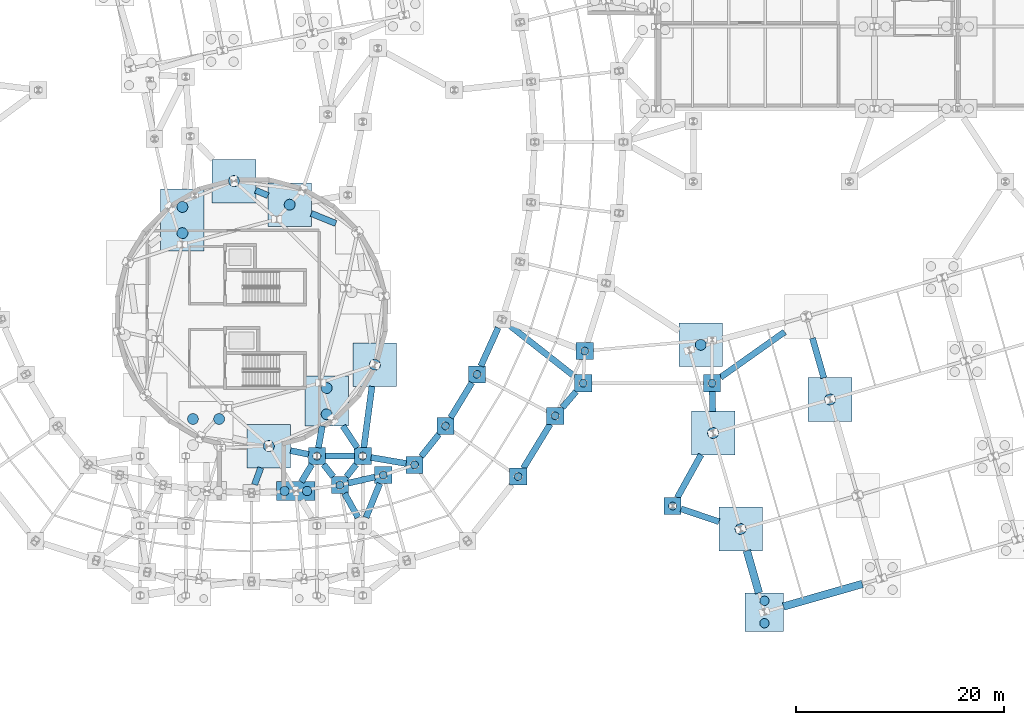
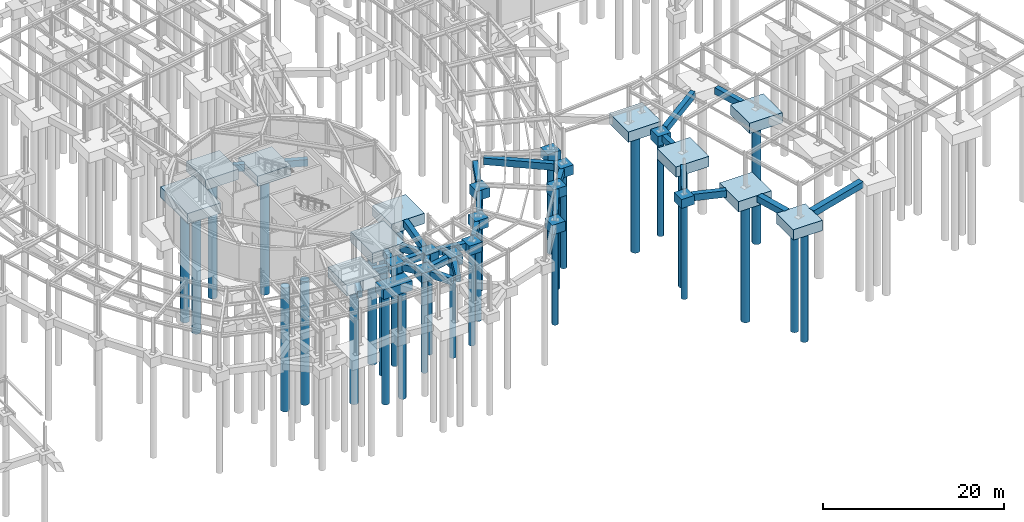
# One storey, part 4 of 50: 53 footings, 31 piles.
"""IFC4 building model written with IfcOpenShell, lengths in metres."""

from ifc_helpers import new_model, si_unit, direction, frame, origin, origin_2d, place, context, subcontext, project, spatial, rectangle, circle, extrude, material, material_profile, profile_set, type_object, element, save


model = new_model("IFC4")

# Units and contexts
model_context = context("Model", 3, precision=1e-05, world=origin(), true_north=direction((0.0, 1.0)))
body_context = subcontext(model_context, "Body", "Model", "MODEL_VIEW")
ifc_project = project(units=[si_unit("LENGTHUNIT", "METRE"), si_unit("AREAUNIT", "SQUARE_METRE"), si_unit("VOLUMEUNIT", "CUBIC_METRE"), si_unit("PLANEANGLEUNIT", "RADIAN"), si_unit("MASSUNIT", "GRAM", prefix="KILO")], contexts=[model_context])

# Site, building, storey
site_placement = place(None, origin())
site = spatial("IfcSite", under=ifc_project, at=site_placement, CompositionType="ELEMENT")
building_placement = place(site_placement, origin())
building = spatial("IfcBuilding", under=site, at=building_placement, Name="Varnklinge Art Gallery", CompositionType="ELEMENT")
storey_placement = place(building_placement, frame((0.0, 0.0, -4.800048828125)))
storey = spatial("IfcBuildingStorey", under=building, at=storey_placement, Name="B01", CompositionType="ELEMENT", Elevation=-4.800048828125)

# Footings
ifc_material_1 = material(Name="Concrete C35/45", Category="concrete")
footing_type_1 = type_object("IfcFootingType", Name="FB-08", PredefinedType="FOOTING_BEAM", material=ifc_material_1)
footing_1_placement = place(storey_placement, frame((85.10205078125, 20.05908203125, -0.89990234375), z_axis=(0.0, 0.0, 1.0), x_axis=(-0.488925770283, 0.872325392932, 0.0)))
element("IfcFooting", 1, at=footing_1_placement, inside=storey, type_object=footing_type_1, Name="B01 Ground Tie Beam FBM-039", PredefinedType="FOOTING_BEAM", context=body_context, shape_type="SweptSolid", body=[
    extrude(rectangle(XDim=2.645751953125, YDim=0.60009765625, at=origin_2d()), origin(), (0.0, 0.0, 1.0), 0.89990234375),
])
footing_2_placement = place(storey_placement, frame((86.08740234375, 22.492431640625, -0.89990234375), z_axis=(0.0, 0.0, 1.0), x_axis=(-0.975033218117, -0.222059054235, 0.0)))
element("IfcFooting", 2, at=footing_2_placement, inside=storey, type_object=footing_type_1, Name="B01 Ground Tie Beam FBM-060", PredefinedType="FOOTING_BEAM", context=body_context, shape_type="SweptSolid", body=[
    extrude(rectangle(XDim=2.62255859375, YDim=0.60009765625, at=origin_2d()), origin(), (0.0, 0.0, 1.0), 0.89990234375),
])
footing_3_placement = place(storey_placement, frame((84.984375, 26.652099609375, -1.199951171875), z_axis=(0.0, 0.0, 1.0), x_axis=(0.548731032748, -0.835998955561, 0.0)))
element("IfcFooting", 3, at=footing_3_placement, inside=storey, type_object=footing_type_1, Name="B01 Ground Tie Beam FBM-078", PredefinedType="FOOTING_BEAM", context=body_context, shape_type="SweptSolid", body=[
    extrude(rectangle(XDim=2.5048828125, YDim=0.60009765625, at=origin_2d()), origin(), (0.0, 0.0, 1.0), 0.89990234375),
])
footing_4_placement = place(storey_placement, frame((82.43505859375, 47.6494140625, -1.199951171875), z_axis=(0.0, 0.0, 1.0), x_axis=(-0.926265751019, 0.376871010412, 0.0)))
element("IfcFooting", 4, at=footing_4_placement, inside=storey, type_object=footing_type_1, Name="B01 Ground Tie Beam FBM-116", PredefinedType="FOOTING_BEAM", context=body_context, shape_type="SweptSolid", body=[
    extrude(rectangle(XDim=2.5478515625, YDim=0.60009765625, at=origin_2d()), origin(), (0.0, 0.0, 1.0), 0.89990234375),
])
ifc_material_2 = material(Name="Concrete C35/45", Category="concrete")
footing_type_2 = type_object("IfcFootingType", Name="FB-09", PredefinedType="FOOTING_BEAM", material=ifc_material_2)
footing_5_placement = place(storey_placement, frame((88.693115234375, 24.37939453125, -0.89990234375), z_axis=(0.0, 0.0, 1.0), x_axis=(-0.98608322182, 0.166252457562, 0.0)))
element("IfcFooting", 5, at=footing_5_placement, inside=storey, type_object=footing_type_2, Name="B01 Ground Tie Beam FBM-065", PredefinedType="FOOTING_BEAM", context=body_context, shape_type="SweptSolid", body=[
    extrude(rectangle(XDim=3.423583984375, YDim=0.60009765625, at=origin_2d()), origin(), (0.0, 0.0, 1.0), 0.89990234375),
])
ifc_material_3 = material(Name="Concrete C35/45", Category="concrete")
footing_type_3 = type_object("IfcFootingType", Name="FB-13", PredefinedType="FOOTING_BEAM", material=ifc_material_3)
footing_6_placement = place(storey_placement, frame((80.1259765625, 25.147705078125, -1.199951171875), z_axis=(0.0, 0.0, 1.0), x_axis=(0.979116497217, -0.2032999874, 0.0)))
element("IfcFooting", 6, at=footing_6_placement, inside=storey, type_object=footing_type_3, Name="B01 Ground Tie Beam FBM-068", PredefinedType="FOOTING_BEAM", context=body_context, shape_type="SweptSolid", body=[
    extrude(rectangle(XDim=1.775146484375, YDim=0.60009765625, at=origin_2d()), origin(), (0.0, 0.0, 1.0), 0.89990234375),
])
footing_7_placement = place(storey_placement, frame((76.101318359375, 22.8701171875, -1.199951171875), z_axis=(0.0, 0.0, 1.0), x_axis=(-0.348899199214, -0.937160257794, 0.0)))
element("IfcFooting", 7, at=footing_7_placement, inside=storey, type_object=footing_type_3, Name="B01 Ground Tie Beam FBM-069", PredefinedType="FOOTING_BEAM", context=body_context, shape_type="SweptSolid", body=[
    extrude(rectangle(XDim=1.728515625, YDim=0.60009765625, at=origin_2d()), origin(), (0.0, 0.0, 1.0), 0.89990234375),
])
ifc_material_4 = material(Name="Concrete C35/45", Category="concrete")
footing_type_4 = type_object("IfcFootingType", Name="FB-15", PredefinedType="FOOTING_BEAM", material=ifc_material_4)
footing_8_placement = place(storey_placement, frame((92.674560546875, 25.827392578125, -0.89990234375), z_axis=(0.0, 0.0, 1.0), x_axis=(0.623060848454, 0.782173368969, 0.0)))
element("IfcFooting", 8, at=footing_8_placement, inside=storey, type_object=footing_type_4, Name="B01 Ground Tie Beam FBM-064", PredefinedType="FOOTING_BEAM", context=body_context, shape_type="SweptSolid", body=[
    extrude(rectangle(XDim=2.719482421875, YDim=0.60009765625, at=origin_2d()), origin(), (0.0, 0.0, 1.0), 0.89990234375),
])
footing_9_placement = place(storey_placement, frame((84.0, 24.800048828125, -0.89990234375), z_axis=(0.0, 0.0, 1.0), x_axis=(-1.0, 0.0, 0.0)))
element("IfcFooting", 9, at=footing_9_placement, inside=storey, type_object=footing_type_4, Name="B01 Ground Tie Beam FBM-067", PredefinedType="FOOTING_BEAM", context=body_context, shape_type="SweptSolid", body=[
    extrude(rectangle(XDim=2.7900390625, YDim=0.60009765625, at=origin_2d()), origin(), (0.0, 0.0, 1.0), 0.89990234375),
])
ifc_material_5 = material(Name="Concrete C35/45", Category="concrete")
footing_type_5 = type_object("IfcFootingType", Name="FB-18", PredefinedType="FOOTING_BEAM", material=ifc_material_5)
footing_10_placement = place(storey_placement, frame((103.49560546875, 34.87255859375, -0.89990234375), z_axis=(0.0, 0.0, 1.0), x_axis=(-0.785856893175, 0.618408395358, 0.0)))
element("IfcFooting", 10, at=footing_10_placement, inside=storey, type_object=footing_type_5, Name="B01 Ground Tie Beam FBM-084", PredefinedType="FOOTING_BEAM", context=body_context, shape_type="SweptSolid", body=[
    extrude(rectangle(XDim=7.88818359375, YDim=0.60009765625, at=origin_2d()), origin(), (0.0, 0.0, 1.0), 0.89990234375),
])
ifc_material_6 = material(Name="Concrete C35/45", Category="concrete")
footing_type_6 = type_object("IfcFootingType", Name="FB-19", PredefinedType="FOOTING_BEAM", material=ifc_material_6)
footing_11_placement = place(storey_placement, frame((118.632568359375, 19.109130859375, -0.89990234375), z_axis=(0.0, 0.0, 1.0), x_axis=(-0.947266220842, 0.320447666323, 0.0)))
element("IfcFooting", 11, at=footing_11_placement, inside=storey, type_object=footing_type_6, Name="B01 Ground Tie Beam FBM-033", PredefinedType="FOOTING_BEAM", context=body_context, shape_type="SweptSolid", body=[
    extrude(rectangle(XDim=3.858642578125, YDim=0.60009765625, at=origin_2d()), origin(), (0.0, 0.0, 1.0), 0.89990234375),
])
ifc_material_7 = material(Name="Concrete C35/45", Category="concrete")
footing_type_7 = type_object("IfcFootingType", Name="FB-20", PredefinedType="FOOTING_BEAM", material=ifc_material_7)
footing_12_placement = place(storey_placement, frame((80.80712890625, 23.160400390625, -0.89990234375), z_axis=(0.0, 0.0, 1.0), x_axis=(0.518027009373, 0.855364260161, 0.0)))
element("IfcFooting", 12, at=footing_12_placement, inside=storey, type_object=footing_type_7, Name="B01 Ground Tie Beam FBM-048", PredefinedType="FOOTING_BEAM", context=body_context, shape_type="SweptSolid", body=[
    extrude(rectangle(XDim=1.951171875, YDim=0.60009765625, at=origin_2d()), origin(), (0.0, 0.0, 1.0), 0.89990234375),
])
footing_13_placement = place(storey_placement, frame((119.83447265625, 30.044921875, -0.89990234375), z_axis=(0.0, 0.0, 1.0), x_axis=(-0.019720942027, 0.999805523312, 0.0)))
element("IfcFooting", 13, at=footing_13_placement, inside=storey, type_object=footing_type_7, Name="B01 Ground Tie Beam FBM-072", PredefinedType="FOOTING_BEAM", context=body_context, shape_type="SweptSolid", body=[
    extrude(rectangle(XDim=1.900390625, YDim=0.60009765625, at=origin_2d()), origin(), (0.0, 0.0, 1.0), 0.89990234375),
])
footing_14_placement = place(storey_placement, frame((106.05810546875, 30.234619140625, -0.89990234375), z_axis=(0.0, 0.0, 1.0), x_axis=(0.650774217266, 0.759271307335, 0.0)))
element("IfcFooting", 14, at=footing_14_placement, inside=storey, type_object=footing_type_7, Name="B01 Ground Tie Beam FBM-080", PredefinedType="FOOTING_BEAM", context=body_context, shape_type="SweptSolid", body=[
    extrude(rectangle(XDim=2.00341796875, YDim=0.60009765625, at=origin_2d()), origin(), (0.0, 0.0, 1.0), 0.89990234375),
])
ifc_material_8 = material(Name="Concrete C35/45", Category="concrete")
footing_type_8 = type_object("IfcFootingType", Name="FB-27", PredefinedType="FOOTING_BEAM", material=ifc_material_8)
footing_15_placement = place(storey_placement, frame((85.10205078125, 23.408935546875, -0.89990234375), z_axis=(0.0, 0.0, 1.0), x_axis=(0.61964205304, 0.784884530427, 0.0)))
element("IfcFooting", 15, at=footing_15_placement, inside=storey, type_object=footing_type_8, Name="B01 Ground Tie Beam FBM-054", PredefinedType="FOOTING_BEAM", context=body_context, shape_type="SweptSolid", body=[
    extrude(rectangle(XDim=1.4931640625, YDim=0.60009765625, at=origin_2d()), origin(), (0.0, 0.0, 1.0), 0.89990234375),
])
footing_16_placement = place(storey_placement, frame((82.902099609375, 23.408935546875, -0.89990234375), z_axis=(0.0, 0.0, 1.0), x_axis=(-0.621010990507, 0.783801856128, 0.0)))
element("IfcFooting", 16, at=footing_16_placement, inside=storey, type_object=footing_type_8, Name="B01 Ground Tie Beam FBM-055", PredefinedType="FOOTING_BEAM", context=body_context, shape_type="SweptSolid", body=[
    extrude(rectangle(XDim=1.4951171875, YDim=0.60009765625, at=origin_2d()), origin(), (0.0, 0.0, 1.0), 0.89990234375),
])
ifc_material_9 = material(Name="Concrete C35/45", Category="concrete")
footing_type_9 = type_object("IfcFootingType", Name="FB-28", PredefinedType="FOOTING_BEAM", material=ifc_material_9)
footing_17_placement = place(storey_placement, frame((102.93310546875, 25.7470703125, -0.89990234375), z_axis=(0.0, 0.0, 1.0), x_axis=(0.520860651188, 0.85364171761, 0.0)))
element("IfcFooting", 17, at=footing_17_placement, inside=storey, type_object=footing_type_9, Name="B01 Ground Tie Beam FBM-057", PredefinedType="FOOTING_BEAM", context=body_context, shape_type="SweptSolid", body=[
    extrude(rectangle(XDim=4.9599609375, YDim=0.60009765625, at=origin_2d()), origin(), (0.0, 0.0, 1.0), 0.89990234375),
])
ifc_material_10 = material(Name="Concrete C35/45", Category="concrete")
footing_type_10 = type_object("IfcFootingType", Name="FB-29", PredefinedType="FOOTING_BEAM", material=ifc_material_10)
footing_18_placement = place(storey_placement, frame((87.185546875, 20.533447265625, -0.89990234375), z_axis=(0.0, 0.0, 1.0), x_axis=(-0.375415571225, -0.92685659564, 0.0)))
element("IfcFooting", 18, at=footing_18_placement, inside=storey, type_object=footing_type_10, Name="B01 Ground Tie Beam FBM-061", PredefinedType="FOOTING_BEAM", context=body_context, shape_type="SweptSolid", body=[
    extrude(rectangle(XDim=3.513916015625, YDim=0.60009765625, at=origin_2d()), origin(), (0.0, 0.0, 1.0), 0.89990234375),
])
ifc_material_11 = material(Name="Concrete C35/45", Category="concrete")
footing_type_11 = type_object("IfcFootingType", Name="FB-30", PredefinedType="FOOTING_BEAM", material=ifc_material_11)
footing_19_placement = place(storey_placement, frame((117.593017578125, 22.8701171875, -0.89990234375), z_axis=(0.0, 0.0, 1.0), x_axis=(-0.485267503577, -0.874365741536, 0.0)))
element("IfcFooting", 19, at=footing_19_placement, inside=storey, type_object=footing_type_11, Name="B01 Ground Tie Beam FBM-073", PredefinedType="FOOTING_BEAM", context=body_context, shape_type="SweptSolid", body=[
    extrude(rectangle(XDim=4.7236328125, YDim=0.60009765625, at=origin_2d()), origin(), (0.0, 0.0, 1.0), 0.89990234375),
])
ifc_material_12 = material(Name="Concrete C35/45", Category="concrete")
footing_type_12 = type_object("IfcFootingType", Name="FB-31", PredefinedType="FOOTING_BEAM", material=ifc_material_12)
footing_20_placement = place(storey_placement, frame((95.676513671875, 30.175537109375, -0.89990234375), z_axis=(0.0, 0.0, 1.0), x_axis=(0.521009631841, 0.853550797275, 0.0)))
element("IfcFooting", 20, at=footing_20_placement, inside=storey, type_object=footing_type_12, Name="B01 Ground Tie Beam FBM-075", PredefinedType="FOOTING_BEAM", context=body_context, shape_type="SweptSolid", body=[
    extrude(rectangle(XDim=3.923583984375, YDim=0.60009765625, at=origin_2d()), origin(), (0.0, 0.0, 1.0), 0.89990234375),
])
footing_21_placement = place(storey_placement, frame((129.99658203125, 34.22900390625, -0.89990234375), z_axis=(0.0, 0.0, 1.0), x_axis=(-0.275637355817, 0.961261695938, 0.0)))
element("IfcFooting", 21, at=footing_21_placement, inside=storey, type_object=footing_type_12, Name="B01 Ground Tie Beam FBM-081", PredefinedType="FOOTING_BEAM", context=body_context, shape_type="SweptSolid", body=[
    extrude(rectangle(XDim=3.9716796875, YDim=0.60009765625, at=origin_2d()), origin(), (0.0, 0.0, 1.0), 0.89990234375),
])
footing_22_placement = place(storey_placement, frame((98.390380859375, 35.300048828125, -0.89990234375), z_axis=(0.0, 0.0, 1.0), x_axis=(0.413263367815, 0.910611546611, 0.0)))
element("IfcFooting", 22, at=footing_22_placement, inside=storey, type_object=footing_type_12, Name="B01 Ground Tie Beam FBM-087", PredefinedType="FOOTING_BEAM", context=body_context, shape_type="SweptSolid", body=[
    extrude(rectangle(XDim=4.041259765625, YDim=0.60009765625, at=origin_2d()), origin(), (0.0, 0.0, 1.0), 0.89990234375),
])
ifc_material_13 = material(Name="Concrete C35/45", Category="concrete")
footing_type_13 = type_object("IfcFootingType", Name="FB-32", PredefinedType="FOOTING_BEAM", material=ifc_material_13)
footing_23_placement = place(storey_placement, frame((82.1279296875, 26.652099609375, -1.199951171875), z_axis=(0.0, 0.0, 1.0), x_axis=(-0.174335660806, -0.984686283733, 0.0)))
element("IfcFooting", 23, at=footing_23_placement, inside=storey, type_object=footing_type_13, Name="B01 Ground Tie Beam FBM-077", PredefinedType="FOOTING_BEAM", context=body_context, shape_type="SweptSolid", body=[
    extrude(rectangle(XDim=2.126708984375, YDim=0.60009765625, at=origin_2d()), origin(), (0.0, 0.0, 1.0), 0.89990234375),
])
ifc_material_14 = material(Name="Concrete C35/45", Category="concrete")
footing_type_14 = type_object("IfcFootingType", Name="FB-34", PredefinedType="FOOTING_BEAM", material=ifc_material_14)
footing_24_placement = place(storey_placement, frame((123.68896484375, 34.55712890625, -0.89990234375), z_axis=(0.0, 0.0, 1.0), x_axis=(0.815834912675, 0.578284873795, 0.0)))
element("IfcFooting", 24, at=footing_24_placement, inside=storey, type_object=footing_type_14, Name="B01 Ground Tie Beam FBM-085", PredefinedType="FOOTING_BEAM", context=body_context, shape_type="SweptSolid", body=[
    extrude(rectangle(XDim=7.560791015625, YDim=0.60009765625, at=origin_2d()), origin(), (0.0, 0.0, 1.0), 0.89990234375),
])
ifc_material_15 = material(Name="Concrete C35/45", Category="concrete")
footing_type_15 = type_object("IfcFootingType", Name="FB-35", PredefinedType="FOOTING_BEAM", material=ifc_material_15)
footing_25_placement = place(storey_placement, frame((86.700927734375, 28.553955078125, -1.199951171875), z_axis=(0.0, 0.0, 1.0), x_axis=(-0.132256390257, -0.991215540252, 0.0)))
element("IfcFooting", 25, at=footing_25_placement, inside=storey, type_object=footing_type_15, Name="B01 Ground Tie Beam FBM-089", PredefinedType="FOOTING_BEAM", context=body_context, shape_type="SweptSolid", body=[
    extrude(rectangle(XDim=5.9501953125, YDim=0.60009765625, at=origin_2d()), origin(), (0.0, 0.0, 1.0), 0.89990234375),
])
ifc_material_16 = material(Name="Concrete C35/45", Category="concrete")
footing_type_16 = type_object("IfcFootingType", Name="FB-41", PredefinedType="FOOTING_BEAM", material=ifc_material_16)
footing_26_placement = place(storey_placement, frame((76.4990234375, 50.10791015625, -1.199951171875), z_axis=(0.0, 0.0, 1.0), x_axis=(-0.920981534477, 0.389606228328, 0.0)))
element("IfcFooting", 26, at=footing_26_placement, inside=storey, type_object=footing_type_16, Name="B01 Ground Tie Beam FBM-128", PredefinedType="FOOTING_BEAM", context=body_context, shape_type="SweptSolid", body=[
    extrude(rectangle(XDim=1.294189453125, YDim=0.60009765625, at=origin_2d()), origin(), (0.0, 0.0, 1.0), 0.89990234375),
])
ifc_material_17 = material(Name="Concrete C35/45", Category="concrete")
footing_type_17 = type_object("IfcFootingType", Name="PC-01", PredefinedType="PILE_CAP", material=ifc_material_17)
for number, where, z_axis, x_axis, name in (
    (27, (84.00390625, 22.01806640625, -1.2998046875), (0.0, 0.0, 1.0), (1.0, 0.0, 0.0), "B01 Pile Cap FCAP-040"),
    (28, (101.14990234375, 22.824951171875, -1.2998046875), (0.0, 0.0, 1.0), (1.0, 0.0, 0.0), "B01 Pile Cap FCAP-042"),
    (29, (88.1708984375, 22.967041015625, -1.2998046875), (0.0, 0.0, 1.0), (1.0, 0.0, 0.0), "B01 Pile Cap FCAP-044"),
    (30, (91.18603515625, 23.958984375, -1.2998046875), (0.0, 0.0, 1.0), (1.0, 0.0, 0.0), "B01 Pile Cap FCAP-046"),
    (31, (94.1630859375, 27.696044921875, -1.2998046875), (0.0, 0.0, 1.0), (1.0, 0.0, 0.0), "B01 Pile Cap FCAP-055"),
    (32, (104.716064453125, 28.6689453125, -1.2998046875), (0.0, 0.0, 1.0), (1.0, 0.0, 0.0), "B01 Pile Cap FCAP-059"),
    (33, (107.39990234375, 31.800048828125, -1.2998046875), (0.0, 0.0, 1.0), (1.0, 0.0, 0.0), "B01 Pile Cap FCAP-062"),
    (34, (119.800048828125, 31.800048828125, -1.2998046875), (0.0, 0.0, 1.0), (1.0, 0.0, 0.0), "B01 Pile Cap FCAP-063"),
    (35, (97.18994140625, 32.655029296875, -1.2998046875), (0.0, 0.0, 1.0), (1.0, 0.0, 0.0), "B01 Pile Cap FCAP-065"),
    (36, (107.5458984375, 34.903076171875, -1.2998046875), (0.0, 0.0, 1.0), (1.0, 0.0, 0.0), "B01 Pile Cap FCAP-069"),
):
    element("IfcFooting", number, at=place(storey_placement, frame(where, z_axis=z_axis, x_axis=x_axis)), inside=storey, type_object=footing_type_17, Name=name, PredefinedType="PILE_CAP", context=body_context, shape_type="SweptSolid", body=[
        extrude(rectangle(XDim=1.64990234375, YDim=1.64990234375, at=origin_2d()), origin(), (0.0, 0.0, 1.0), 1.300048828125),
    ])
ifc_material_18 = material(Name="Concrete C35/45", Category="concrete")
footing_type_18 = type_object("IfcFootingType", Name="PC-02", PredefinedType="PILE_CAP", material=ifc_material_18)
footing_27_placement = place(storey_placement, frame((124.827880859375, 9.80810546875, -1.39990234375), z_axis=(0.0, 0.0, 1.0), x_axis=(1.0, 0.0, 0.0)))
element("IfcFooting", 37, at=footing_27_placement, inside=storey, type_object=footing_type_18, Name="B01 Pile Cap FCAP-005", PredefinedType="PILE_CAP", context=body_context, shape_type="SweptSolid", body=[
    extrude(rectangle(XDim=3.698974609375, YDim=3.699951171875, at=origin_2d()), origin(), (0.0, 0.0, 1.0), 1.39990234375),
])
ifc_material_19 = material(Name="Concrete C35/45", Category="concrete")
footing_type_19 = type_object("IfcFootingType", Name="PC-03", PredefinedType="PILE_CAP", material=ifc_material_19)
for number, where, z_axis, x_axis, name in (
    (38, (81.800048828125, 24.800048828125, -1.19970703125), (0.0, 0.0, 1.0), (1.0, 0.0, 0.0), "B01 Pile Cap FCAP-049"),
    (39, (86.199951171875, 24.800048828125, -1.19970703125), (0.0, 0.0, 1.0), (1.0, 0.0, 0.0), "B01 Pile Cap FCAP-050"),
    (40, (116.0, 20.0, -1.19970703125), (0.0, 0.0, 1.0), (1.0, 0.0, 0.0), "B01 Pile Cap FCAP-225"),
):
    element("IfcFooting", number, at=place(storey_placement, frame(where, z_axis=z_axis, x_axis=x_axis)), inside=storey, type_object=footing_type_19, Name=name, PredefinedType="PILE_CAP", context=body_context, shape_type="SweptSolid", body=[
        extrude(rectangle(XDim=1.64990234375, YDim=1.64990234375, at=origin_2d()), origin(), (0.0, 0.0, 1.0), 1.199951171875),
    ])
ifc_material_20 = material(Name="Concrete C35/45", Category="concrete")
footing_type_20 = type_object("IfcFootingType", Name="PC-05", PredefinedType="PILE_CAP", material=ifc_material_20)
for number, where, z_axis, x_axis, name in (
    (41, (122.5400390625, 17.787109375, -1.39990234375), (0.0, 0.0, 1.0), (1.0, 0.0, 0.0), "B01 Pile Cap FCAP-023"),
    (42, (77.177001953125, 25.760009765625, -1.699951171875), (0.0, 0.0, 1.0), (1.0, 0.0, 0.0), "B01 Pile Cap FCAP-051"),
    (43, (119.89404296875, 27.014892578125, -1.39990234375), (0.0, 0.0, 1.0), (1.0, 0.0, 0.0), "B01 Pile Cap FCAP-053"),
    (44, (131.139892578125, 30.239990234375, -1.39990234375), (0.0, 0.0, 1.0), (1.0, 0.0, 0.0), "B01 Pile Cap FCAP-060"),
    (45, (87.3720703125, 33.5830078125, -1.699951171875), (0.0, 0.0, 1.0), (1.0, 0.0, 0.0), "B01 Pile Cap FCAP-066"),
    (46, (118.702880859375, 35.4970703125, -1.39990234375), (0.0, 0.0, 1.0), (1.0, 0.0, 0.0), "B01 Pile Cap FCAP-070"),
    (47, (79.175048828125, 48.97607421875, -1.699951171875), (0.0, 0.0, 1.0), (1.0, 0.0, 0.0), "B01 Pile Cap FCAP-100"),
    (48, (73.822998046875, 51.239990234375, -1.699951171875), (0.0, 0.0, 1.0), (1.0, 0.0, 0.0), "B01 Pile Cap FCAP-101"),
):
    element("IfcFooting", number, at=place(storey_placement, frame(where, z_axis=z_axis, x_axis=x_axis)), inside=storey, type_object=footing_type_20, Name=name, PredefinedType="PILE_CAP", context=body_context, shape_type="SweptSolid", body=[
        extrude(rectangle(XDim=4.199951171875, YDim=4.199951171875, at=origin_2d()), origin(), (0.0, 0.0, 1.0), 1.39990234375),
    ])
ifc_material_21 = material(Name="Concrete C35/45", Category="concrete")
footing_type_21 = type_object("IfcFootingType", Name="PC-06", PredefinedType="PILE_CAP", material=ifc_material_21)
footing_28_placement = place(storey_placement, frame((79.76904296875, 21.446044921875, -1.2998046875), z_axis=(0.0, 0.0, 1.0), x_axis=(1.0, 0.0, 0.0)))
element("IfcFooting", 49, at=footing_28_placement, inside=storey, type_object=footing_type_21, Name="B01 Pile Cap FCAP-036", PredefinedType="PILE_CAP", context=body_context, shape_type="SweptSolid", body=[
    extrude(rectangle(XDim=3.699951171875, YDim=1.800048828125, at=origin_2d()), origin(), (0.0, 0.0, 1.0), 1.300048828125),
])
ifc_material_22 = material(Name="Concrete C35/45", Category="concrete")
footing_type_22 = type_object("IfcFootingType", Name="PC-08", PredefinedType="PILE_CAP", material=ifc_material_22)
footing_29_placement = place(storey_placement, frame((82.735107421875, 30.0791015625, -1.699951171875), z_axis=(0.0, 0.0, 1.0), x_axis=(1.0, 0.0, 0.0)))
element("IfcFooting", 50, at=footing_29_placement, inside=storey, type_object=footing_type_22, Name="B01 Pile Cap FCAP-057", PredefinedType="PILE_CAP", context=body_context, shape_type="SweptSolid", body=[
    extrude(rectangle(XDim=4.199951171875, YDim=4.800048828125, at=origin_2d()), origin(), (0.0, 0.0, 1.0), 1.39990234375),
])
ifc_material_23 = material(Name="Concrete C35/45", Category="concrete")
footing_type_23 = type_object("IfcFootingType", Name="PC-11", PredefinedType="PILE_CAP", material=ifc_material_23)
footing_30_placement = place(storey_placement, frame((68.863037109375, 47.4990234375, -1.699951171875), z_axis=(0.0, 0.0, 1.0), x_axis=(1.0, 0.0, 0.0)))
element("IfcFooting", 51, at=footing_30_placement, inside=storey, type_object=footing_type_23, Name="B01 Pile Cap FCAP-093", PredefinedType="PILE_CAP", context=body_context, shape_type="SweptSolid", body=[
    extrude(rectangle(XDim=4.199951171875, YDim=6.0, at=origin_2d()), origin(), (0.0, 0.0, 1.0), 1.39990234375),
])

# Piles
ifc_material_24 = material(Name="Concrete C35/45", Category="concrete")
ifc_material_profile_1 = material_profile(ifc_material_24, circle(Radius=0.52490234375, at=origin_2d()), Name="PILE D1050")
ifc_profile_set_1 = profile_set([ifc_material_profile_1], Name="Concrete C35/45")
pile_type_1 = type_object("IfcPileType", Name="PIL-D1050", PredefinedType="BORED", material=ifc_profile_set_1)
pile_1_placement = place(storey_placement, frame((122.5400390625, 17.787109375, -1.300048828125), z_axis=(0.0, 0.0, -1.0), x_axis=(1.0, 0.0, 0.0)))
element("IfcPile", 52, at=pile_1_placement, inside=storey, type_object=pile_type_1, Name="B01 Bored Pile PILE-D1050-036", PredefinedType="BORED", context=body_context, shape_type="SweptSolid", body=[
    extrude(circle(Radius=0.52490234375, at=origin_2d()), origin(), (0.0, 0.0, 1.0), 16.699951171875),
])
pile_2_placement = place(storey_placement, frame((77.177001953125, 25.760009765625, -1.599853515625), z_axis=(0.0, 0.0, -1.0), x_axis=(1.0, 0.0, 0.0)))
element("IfcPile", 53, at=pile_2_placement, inside=storey, type_object=pile_type_1, Name="B01 Bored Pile PILE-D1050-070", PredefinedType="BORED", context=body_context, shape_type="SweptSolid", body=[
    extrude(circle(Radius=0.52490234375, at=origin_2d()), origin(), (0.0, 0.0, 1.0), 16.39990234375),
])
for number, where, z_axis, x_axis, name in (
    (54, (69.8740234375, 28.3701171875, -1.300048828125), (0.0, 0.0, -1.0), (1.0, 0.0, 0.0), "B01 Bored Pile PILE-D1050-072"),
    (55, (72.39404296875, 28.3701171875, -1.300048828125), (0.0, 0.0, -1.0), (1.0, 0.0, 0.0), "B01 Bored Pile PILE-D1050-074"),
    (56, (119.89404296875, 27.014892578125, -1.300048828125), (0.0, 0.0, -1.0), (1.0, 0.0, 0.0), "B01 Bored Pile PILE-D1050-075"),
):
    element("IfcPile", number, at=place(storey_placement, frame(where, z_axis=z_axis, x_axis=x_axis)), inside=storey, type_object=pile_type_1, Name=name, PredefinedType="BORED", context=body_context, shape_type="SweptSolid", body=[
        extrude(circle(Radius=0.52490234375, at=origin_2d()), origin(), (0.0, 0.0, 1.0), 16.699951171875),
    ])
for number, where, z_axis, x_axis, name in (
    (57, (82.735107421875, 28.819091796875, -1.599853515625), (0.0, 0.0, -1.0), (1.0, 0.0, 0.0), "B01 Bored Pile PILE-D1050-080"),
    (58, (82.735107421875, 31.339111328125, -1.599853515625), (0.0, 0.0, -1.0), (1.0, 0.0, 0.0), "B01 Bored Pile PILE-D1050-081"),
):
    element("IfcPile", number, at=place(storey_placement, frame(where, z_axis=z_axis, x_axis=x_axis)), inside=storey, type_object=pile_type_1, Name=name, PredefinedType="BORED", context=body_context, shape_type="SweptSolid", body=[
        extrude(circle(Radius=0.52490234375, at=origin_2d()), origin(), (0.0, 0.0, 1.0), 16.39990234375),
    ])
pile_3_placement = place(storey_placement, frame((131.139892578125, 30.239990234375, -1.300048828125), z_axis=(0.0, 0.0, -1.0), x_axis=(1.0, 0.0, 0.0)))
element("IfcPile", 59, at=pile_3_placement, inside=storey, type_object=pile_type_1, Name="B01 Bored Pile PILE-D1050-084", PredefinedType="BORED", context=body_context, shape_type="SweptSolid", body=[
    extrude(circle(Radius=0.52490234375, at=origin_2d()), origin(), (0.0, 0.0, 1.0), 16.699951171875),
])
pile_4_placement = place(storey_placement, frame((87.3720703125, 33.5830078125, -1.599853515625), z_axis=(0.0, 0.0, -1.0), x_axis=(1.0, 0.0, 0.0)))
element("IfcPile", 60, at=pile_4_placement, inside=storey, type_object=pile_type_1, Name="B01 Bored Pile PILE-D1050-090", PredefinedType="BORED", context=body_context, shape_type="SweptSolid", body=[
    extrude(circle(Radius=0.52490234375, at=origin_2d()), origin(), (0.0, 0.0, 1.0), 16.39990234375),
])
pile_5_placement = place(storey_placement, frame((118.702880859375, 35.4970703125, -1.300048828125), z_axis=(0.0, 0.0, -1.0), x_axis=(1.0, 0.0, 0.0)))
element("IfcPile", 61, at=pile_5_placement, inside=storey, type_object=pile_type_1, Name="B01 Bored Pile PILE-D1050-097", PredefinedType="BORED", context=body_context, shape_type="SweptSolid", body=[
    extrude(circle(Radius=0.52490234375, at=origin_2d()), origin(), (0.0, 0.0, 1.0), 16.699951171875),
])
for number, where, z_axis, x_axis, name in (
    (62, (68.863037109375, 46.239013671875, -1.599853515625), (0.0, 0.0, -1.0), (1.0, 0.0, 0.0), "B01 Bored Pile PILE-D1050-145"),
    (63, (68.863037109375, 48.759033203125, -1.599853515625), (0.0, 0.0, -1.0), (1.0, 0.0, 0.0), "B01 Bored Pile PILE-D1050-146"),
    (64, (79.175048828125, 48.97607421875, -1.599853515625), (0.0, 0.0, -1.0), (1.0, 0.0, 0.0), "B01 Bored Pile PILE-D1050-156"),
    (65, (73.822998046875, 51.239990234375, -1.599853515625), (0.0, 0.0, -1.0), (1.0, 0.0, 0.0), "B01 Bored Pile PILE-D1050-157"),
):
    element("IfcPile", number, at=place(storey_placement, frame(where, z_axis=z_axis, x_axis=x_axis)), inside=storey, type_object=pile_type_1, Name=name, PredefinedType="BORED", context=body_context, shape_type="SweptSolid", body=[
        extrude(circle(Radius=0.52490234375, at=origin_2d()), origin(), (0.0, 0.0, 1.0), 16.39990234375),
    ])
ifc_material_25 = material(Name="Concrete C35/45", Category="concrete")
ifc_material_profile_2 = material_profile(ifc_material_25, circle(Radius=0.375, at=origin_2d()), Name="PILE D750")
ifc_profile_set_2 = profile_set([ifc_material_profile_2], Name="Concrete C35/45")
pile_type_2 = type_object("IfcPileType", Name="PIL-D750", PredefinedType="BORED", material=ifc_profile_set_2)
for number, where, z_axis, x_axis, name in (
    (66, (84.00390625, 22.01806640625, -1.199951171875), (0.0, 0.0, -1.0), (1.0, 0.0, 0.0), "B01 Bored Pile PILE-D750-056"),
    (67, (101.14990234375, 22.824951171875, -1.199951171875), (0.0, 0.0, -1.0), (1.0, 0.0, 0.0), "B01 Bored Pile PILE-D750-058"),
    (68, (88.1708984375, 22.967041015625, -1.199951171875), (0.0, 0.0, -1.0), (1.0, 0.0, 0.0), "B01 Bored Pile PILE-D750-060"),
    (69, (91.18603515625, 23.958984375, -1.199951171875), (0.0, 0.0, -1.0), (1.0, 0.0, 0.0), "B01 Bored Pile PILE-D750-062"),
):
    element("IfcPile", number, at=place(storey_placement, frame(where, z_axis=z_axis, x_axis=x_axis)), inside=storey, type_object=pile_type_2, Name=name, PredefinedType="BORED", context=body_context, shape_type="SweptSolid", body=[
        extrude(circle(Radius=0.375, at=origin_2d()), origin(), (0.0, 0.0, 1.0), 12.800048828125),
    ])
for number, where, z_axis, x_axis, name in (
    (70, (81.800048828125, 24.800048828125, -1.099853515625), (0.0, 0.0, -1.0), (1.0, 0.0, 0.0), "B01 Bored Pile PILE-D750-068"),
    (71, (86.199951171875, 24.800048828125, -1.099853515625), (0.0, 0.0, -1.0), (1.0, 0.0, 0.0), "B01 Bored Pile PILE-D750-069"),
):
    element("IfcPile", number, at=place(storey_placement, frame(where, z_axis=z_axis, x_axis=x_axis)), inside=storey, type_object=pile_type_2, Name=name, PredefinedType="BORED", context=body_context, shape_type="SweptSolid", body=[
        extrude(circle(Radius=0.375, at=origin_2d()), origin(), (0.0, 0.0, 1.0), 12.89990234375),
    ])
for number, where, z_axis, x_axis, name in (
    (72, (94.1630859375, 27.696044921875, -1.199951171875), (0.0, 0.0, -1.0), (1.0, 0.0, 0.0), "B01 Bored Pile PILE-D750-077"),
    (73, (104.716064453125, 28.6689453125, -1.199951171875), (0.0, 0.0, -1.0), (1.0, 0.0, 0.0), "B01 Bored Pile PILE-D750-083"),
    (74, (107.39990234375, 31.800048828125, -1.199951171875), (0.0, 0.0, -1.0), (1.0, 0.0, 0.0), "B01 Bored Pile PILE-D750-086"),
    (75, (119.800048828125, 31.800048828125, -1.199951171875), (0.0, 0.0, -1.0), (1.0, 0.0, 0.0), "B01 Bored Pile PILE-D750-087"),
    (76, (97.18994140625, 32.655029296875, -1.199951171875), (0.0, 0.0, -1.0), (1.0, 0.0, 0.0), "B01 Bored Pile PILE-D750-089"),
    (77, (107.5458984375, 34.903076171875, -1.199951171875), (0.0, 0.0, -1.0), (1.0, 0.0, 0.0), "B01 Bored Pile PILE-D750-096"),
):
    element("IfcPile", number, at=place(storey_placement, frame(where, z_axis=z_axis, x_axis=x_axis)), inside=storey, type_object=pile_type_2, Name=name, PredefinedType="BORED", context=body_context, shape_type="SweptSolid", body=[
        extrude(circle(Radius=0.375, at=origin_2d()), origin(), (0.0, 0.0, 1.0), 12.800048828125),
    ])
pile_6_placement = place(storey_placement, frame((116.0, 20.0, -1.099853515625), z_axis=(0.0, 0.0, -1.0), x_axis=(1.0, 0.0, 0.0)))
element("IfcPile", 78, at=pile_6_placement, inside=storey, type_object=pile_type_2, Name="B01 Bored Pile PILE-D750-402", PredefinedType="BORED", context=body_context, shape_type="SweptSolid", body=[
    extrude(circle(Radius=0.375, at=origin_2d()), origin(), (0.0, 0.0, 1.0), 12.89990234375),
])
ifc_material_26 = material(Name="Concrete C35/45", Category="concrete")
ifc_material_profile_3 = material_profile(ifc_material_26, circle(Radius=0.449951171875, at=origin_2d()), Name="PILE D900")
ifc_profile_set_3 = profile_set([ifc_material_profile_3], Name="Concrete C35/45")
pile_type_3 = type_object("IfcPileType", Name="PIL-D900", PredefinedType="BORED", material=ifc_profile_set_3)
for number, where, z_axis, x_axis, name in (
    (79, (124.827880859375, 8.72802734375, -1.300048828125), (0.0, 0.0, -1.0), (1.0, 0.0, 0.0), "B01 Bored Pile PILE-D900-005"),
    (80, (124.827880859375, 10.887939453125, -1.300048828125), (0.0, 0.0, -1.0), (1.0, 0.0, 0.0), "B01 Bored Pile PILE-D900-006"),
):
    element("IfcPile", number, at=place(storey_placement, frame(where, z_axis=z_axis, x_axis=x_axis)), inside=storey, type_object=pile_type_3, Name=name, PredefinedType="BORED", context=body_context, shape_type="SweptSolid", body=[
        extrude(circle(Radius=0.449951171875, at=origin_2d()), origin(), (0.0, 0.0, 1.0), 14.699951171875),
    ])
for number, where, z_axis, x_axis, name in (
    (81, (78.68896484375, 21.446044921875, -1.199951171875), (0.0, 0.0, -1.0), (1.0, 0.0, 0.0), "B01 Bored Pile PILE-D900-051"),
    (82, (80.84912109375, 21.446044921875, -1.199951171875), (0.0, 0.0, -1.0), (1.0, 0.0, 0.0), "B01 Bored Pile PILE-D900-052"),
):
    element("IfcPile", number, at=place(storey_placement, frame(where, z_axis=z_axis, x_axis=x_axis)), inside=storey, type_object=pile_type_3, Name=name, PredefinedType="BORED", context=body_context, shape_type="SweptSolid", body=[
        extrude(circle(Radius=0.449951171875, at=origin_2d()), origin(), (0.0, 0.0, 1.0), 14.800048828125),
    ])

# Footings
ifc_material_27 = material(Name="Concrete C35/45", Category="concrete")
footing_type_24 = type_object("IfcFootingType", Name="SF-04", PredefinedType="STRIP_FOOTING", material=ifc_material_27)
footing_31_placement = place(storey_placement, frame((123.7197265625, 13.672607421875, -0.85009765625), z_axis=(0.0, 0.0, 1.0), x_axis=(-0.275637355817, 0.961261695938, 0.0)))
element("IfcFooting", 83, at=footing_31_placement, inside=storey, type_object=footing_type_24, Name="B01 Ground Tie Beam FBM-007", PredefinedType="STRIP_FOOTING", context=body_context, shape_type="SweptSolid", body=[
    extrude(rectangle(XDim=4.23291015625, YDim=0.75, at=origin_2d()), origin(), (0.0, 0.0, 1.0), 0.85009765625),
])
ifc_material_28 = material(Name="Concrete C35/45", Category="concrete")
footing_type_25 = type_object("IfcFootingType", Name="SF-05", PredefinedType="STRIP_FOOTING", material=ifc_material_28)
footing_32_placement = place(storey_placement, frame((130.450439453125, 11.42041015625, -0.85009765625), z_axis=(0.0, 0.0, 1.0), x_axis=(0.961261695938, 0.275637355817, 0.0)))
element("IfcFooting", 84, at=footing_32_placement, inside=storey, type_object=footing_type_25, Name="B01 Ground Tie Beam FBM-008", PredefinedType="STRIP_FOOTING", context=body_context, shape_type="SweptSolid", body=[
    extrude(rectangle(XDim=7.892822265625, YDim=0.75, at=origin_2d()), origin(), (0.0, 0.0, 1.0), 0.85009765625),
])

save(model, "model.ifc")
